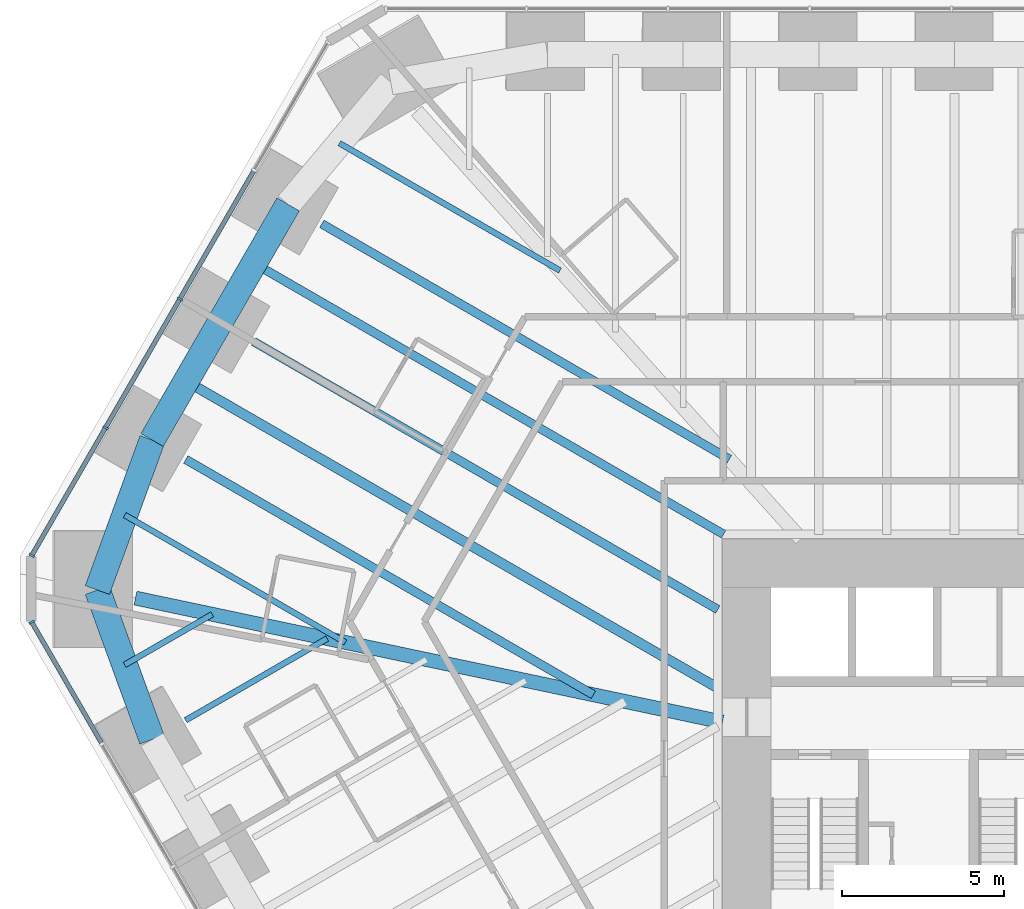
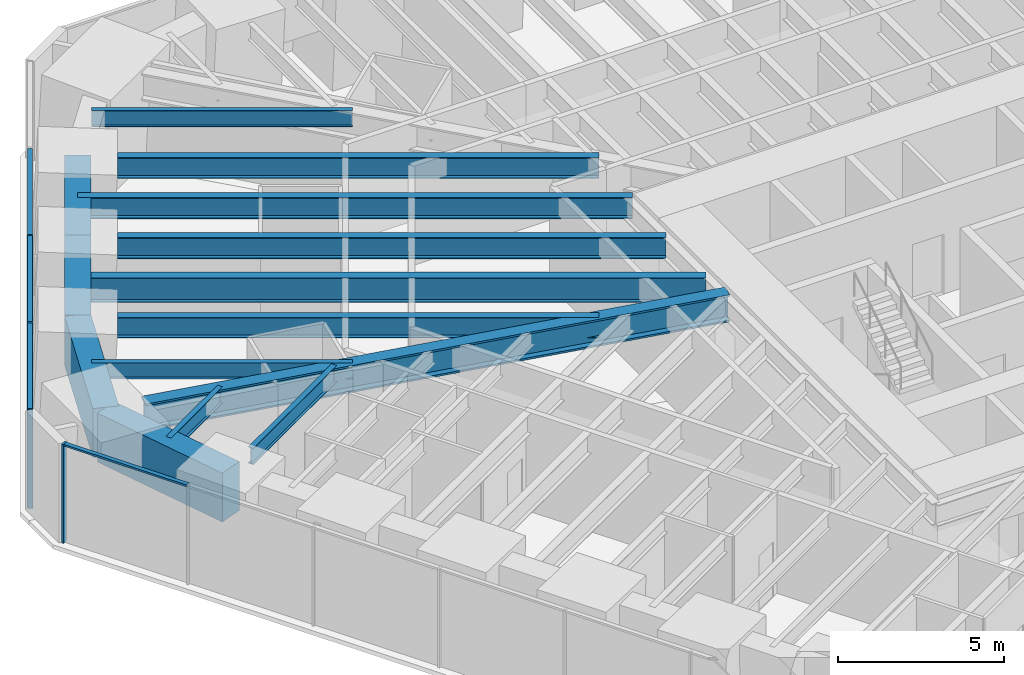
# One storey, part 7 of 17: 14 beams, 8 members, 2 elements without a shape of their own.
"""IFC4 building model written with IfcOpenShell, lengths in metres."""

from ifc_helpers import new_model, si_unit, direction, frame, origin, origin_2d, place, context, subcontext, project, spatial, rectangle, i_section, extrude, material, material_profile, profile_set, type_object, element, aggregate, save


model = new_model("IFC4")

# Units and contexts
model_context = context("Model", 3, precision=1e-05, world=origin(), true_north=direction((0.0, 1.0)))
body_context = subcontext(model_context, "Body", "Model", "MODEL_VIEW")
ifc_project = project(units=[si_unit("LENGTHUNIT", "METRE"), si_unit("AREAUNIT", "SQUARE_METRE"), si_unit("VOLUMEUNIT", "CUBIC_METRE"), si_unit("PLANEANGLEUNIT", "RADIAN"), si_unit("MASSUNIT", "GRAM", prefix="KILO")], contexts=[model_context])

# Site, building, storey
site_placement = place(None, origin())
site = spatial("IfcSite", under=ifc_project, at=site_placement, CompositionType="ELEMENT")
building_placement = place(site_placement, origin())
building = spatial("IfcBuilding", under=site, at=building_placement, Name="Sandreach Pilgrim Tower", CompositionType="ELEMENT")
storey_placement = place(building_placement, frame((0.0, 0.0, 57.199951171875)))
storey = spatial("IfcBuildingStorey", under=building, at=storey_placement, Name="L13", CompositionType="ELEMENT", Elevation=57.199951171875)

# Curtain wall, member
ifc_material_1 = material(Name="Aluminium framed curtain wall", Category="aluminium")
curtain_wall_type = type_object("IfcCurtainWallType", Name="Hostel tower curtain wall", PredefinedType="NOTDEFINED", material=ifc_material_1)
curtain_wall_1_placement = place(storey_placement, origin())
curtain_wall_1 = element("IfcCurtainWall", 1, at=curtain_wall_1_placement, inside=storey, type_object=curtain_wall_type, Name="CW-1 L13 SW", PredefinedType="NOTDEFINED")
ifc_material_2 = material(Name="Aluminium extrusion", Category="aluminium")
ifc_material_profile_1 = material_profile(ifc_material_2, rectangle(XDim=0.06494140625, YDim=0.179931640625, at=origin_2d()), Name="CW-1M 65X180")
ifc_profile_set_1 = profile_set([ifc_material_profile_1], Name="Aluminium extrusion")
member_type_1 = type_object("IfcMemberType", Name="CW-1 mullion", PredefinedType="MULLION", material=ifc_profile_set_1)
member_1_placement = place(storey_placement, frame((-30.56005859375, 5.033935546875, 0.0), z_axis=(0.0, 0.0, 1.0), x_axis=(-0.5, 0.866025403784, 0.0)))
member_1 = element("IfcMember", 2, at=member_1_placement, type_object=member_type_1, Name="CW-1 mullion 10", PredefinedType="MULLION", context=body_context, shape_type="SweptSolid", body=[
    extrude(rectangle(XDim=0.06494140625, YDim=0.179931640625, at=origin_2d()), origin(), (0.0, 0.0, 1.0), 3.64013671875),
])

# Curtain wall, members
curtain_wall_2_placement = place(storey_placement, origin())
curtain_wall_2 = element("IfcCurtainWall", 3, at=curtain_wall_2_placement, inside=storey, type_object=curtain_wall_type, Name="CW-1 L13 NW", PredefinedType="NOTDEFINED")
member_2_placement = place(storey_placement, frame((-30.56005859375, 7.09033203125, 0.0), z_axis=(0.0, 0.0, 1.0), x_axis=(0.5, 0.866025403784, 0.0)))
member_2 = element("IfcMember", 4, at=member_2_placement, type_object=member_type_1, Name="CW-1 mullion 1", PredefinedType="MULLION", context=body_context, shape_type="SweptSolid", body=[
    extrude(rectangle(XDim=0.06494140625, YDim=0.179931640625, at=origin_2d()), origin(), (0.0, 0.0, 1.0), 3.64013671875),
])
member_3_placement = place(storey_placement, frame((-28.283203125, 11.03369140625, 0.0), z_axis=(0.0, 0.0, 1.0), x_axis=(0.5, 0.866025403784, 0.0)))
member_3 = element("IfcMember", 5, at=member_3_placement, type_object=member_type_1, Name="CW-1 mullion 2", PredefinedType="MULLION", context=body_context, shape_type="SweptSolid", body=[
    extrude(rectangle(XDim=0.06494140625, YDim=0.179931640625, at=origin_2d()), origin(), (0.0, 0.0, 1.0), 3.64013671875),
])
member_4_placement = place(storey_placement, frame((-25.990234375, 15.00537109375, 0.0), z_axis=(0.0, 0.0, 1.0), x_axis=(0.5, 0.866025403784, 0.0)))
member_4 = element("IfcMember", 6, at=member_4_placement, type_object=member_type_1, Name="CW-1 mullion 3", PredefinedType="MULLION", context=body_context, shape_type="SweptSolid", body=[
    extrude(rectangle(XDim=0.06494140625, YDim=0.179931640625, at=origin_2d()), origin(), (0.0, 0.0, 1.0), 3.64013671875),
])

# Member
ifc_material_3 = material(Name="Aluminium extrusion", Category="aluminium")
ifc_material_profile_2 = material_profile(ifc_material_3, rectangle(XDim=0.139892578125, YDim=0.070068359375, at=origin_2d()), Name="CW-1T 140X70")
ifc_profile_set_2 = profile_set([ifc_material_profile_2], Name="Aluminium extrusion")
member_type_2 = type_object("IfcMemberType", Name="CW-1 transom", PredefinedType="USERDEFINED", material=ifc_profile_set_2)
member_5_placement = place(storey_placement, frame((-28.40673828125, 1.304443359375, 3.60498046875), z_axis=(-0.499991113271, 0.866030534479, 0.0), x_axis=(-0.866030534479, -0.499991113271, 0.0)))
member_5 = element("IfcMember", 7, at=member_5_placement, type_object=member_type_2, Name="CW-1 head transom 9", ObjectType="TRANSOM", PredefinedType="USERDEFINED", context=body_context, shape_type="SweptSolid", body=[
    extrude(rectangle(XDim=0.139892578125, YDim=0.070068359375, at=origin_2d()), origin(), (0.0, 0.0, 1.0), 4.27392578125),
])

aggregate(curtain_wall_1, [member_1, member_5])

member_6_placement = place(storey_placement, frame((-30.543701171875, 7.118408203125, 3.60498046875), z_axis=(0.499976706761, 0.866038851724, 0.0), x_axis=(-0.866038851724, 0.499976706761, 0.0)))
member_6 = element("IfcMember", 8, at=member_6_placement, type_object=member_type_2, Name="CW-1 head transom 1", ObjectType="TRANSOM", PredefinedType="USERDEFINED", context=body_context, shape_type="SweptSolid", body=[
    extrude(rectangle(XDim=0.139892578125, YDim=0.070068359375, at=origin_2d()), origin(), (0.0, 0.0, 1.0), 4.488525390625),
])

member_7_placement = place(storey_placement, frame((-28.266845703125, 11.06201171875, 3.60498046875), z_axis=(0.500001366228, 0.866024614991, 0.0), x_axis=(-0.866024614991, 0.500001366228, 0.0)))
member_7 = element("IfcMember", 9, at=member_7_placement, type_object=member_type_2, Name="CW-1 head transom 2", ObjectType="TRANSOM", PredefinedType="USERDEFINED", context=body_context, shape_type="SweptSolid", body=[
    extrude(rectangle(XDim=0.139892578125, YDim=0.070068359375, at=origin_2d()), origin(), (0.0, 0.0, 1.0), 4.52099609375),
])

member_8_placement = place(storey_placement, frame((-25.973876953125, 15.03369140625, 3.60498046875), z_axis=(0.500001366228, 0.866024614991, 0.0), x_axis=(-0.866024614991, 0.500001366228, 0.0)))
member_8 = element("IfcMember", 10, at=member_8_placement, type_object=member_type_2, Name="CW-1 head transom 3", ObjectType="TRANSOM", PredefinedType="USERDEFINED", context=body_context, shape_type="SweptSolid", body=[
    extrude(rectangle(XDim=0.139892578125, YDim=0.070068359375, at=origin_2d()), origin(), (0.0, 0.0, 1.0), 4.52099609375),
])

aggregate(curtain_wall_2, [member_2, member_3, member_4, member_6, member_7, member_8])

# Beams
ifc_material_4 = material(Name="Steel ASTM A992 Grade 50", Category="steel")
ifc_material_profile_3 = material_profile(ifc_material_4, i_section(OverallWidth=0.434326171875, OverallDepth=0.998291015625, WebThickness=0.0380859375, FlangeThickness=0.068115234375, at=origin_2d()), Name="W36X487")
ifc_profile_set_3 = profile_set([ifc_material_profile_3], Name="Steel ASTM A992 Grade 50")
beam_type_1 = type_object("IfcBeamType", Name="Corner girder W36X487", PredefinedType="BEAM", material=ifc_profile_set_3)
beam_1_placement = place(storey_placement, frame((-27.360595703125, 5.776611328125, 3.140869140625), z_axis=(0.978430107738, -0.206578131157, 0.0), x_axis=(0.206578131157, 0.978430107738, 0.0)))
element("IfcBeam", 11, at=beam_1_placement, inside=storey, type_object=beam_type_1, Name="BM L13 CG35", PredefinedType="BEAM", context=body_context, shape_type="SweptSolid", body=[
    extrude(i_section(OverallWidth=0.434326171875, OverallDepth=0.998291015625, WebThickness=0.0380859375, FlangeThickness=0.068115234375, at=origin_2d()), origin(), (0.0, 0.0, 1.0), 18.509765625),
])
ifc_material_5 = material(Name="Steel ASTM A992 Grade 50", Category="steel")
ifc_material_profile_4 = material_profile(ifc_material_5, i_section(OverallWidth=0.1787109375, OverallDepth=0.60205078125, WebThickness=0.010986328125, FlangeThickness=0.014892578125, at=origin_2d()), Name="W24X62")
ifc_profile_set_4 = profile_set([ifc_material_profile_4], Name="Steel ASTM A992 Grade 50")
beam_type_2 = type_object("IfcBeamType", Name="Floor beam W24X62", PredefinedType="BEAM", material=ifc_profile_set_4)
beam_2_placement = place(storey_placement, frame((-25.810791015625, 2.007568359375, 3.339111328125), z_axis=(0.866025882247, 0.499999171277, 0.0), x_axis=(-0.499999171277, 0.866025882247, 0.0)))
element("IfcBeam", 12, at=beam_2_placement, inside=storey, type_object=beam_type_2, Name="BM L13 F34", PredefinedType="BEAM", context=body_context, shape_type="SweptSolid", body=[
    extrude(i_section(OverallWidth=0.1787109375, OverallDepth=0.60205078125, WebThickness=0.010986328125, FlangeThickness=0.014892578125, at=origin_2d()), origin(), (0.0, 0.0, 1.0), 5.04052734375),
])
beam_3_placement = place(storey_placement, frame((-27.6923828125, 3.716064453125, 3.339111328125), z_axis=(0.866048783957, 0.499959502167, 0.0), x_axis=(-0.499959502167, 0.866048783957, 0.0)))
element("IfcBeam", 13, at=beam_3_placement, inside=storey, type_object=beam_type_2, Name="BM L13 FM34", PredefinedType="BEAM", context=body_context, shape_type="SweptSolid", body=[
    extrude(i_section(OverallWidth=0.1787109375, OverallDepth=0.60205078125, WebThickness=0.010986328125, FlangeThickness=0.014892578125, at=origin_2d()), origin(), (0.0, 0.0, 1.0), 3.120361328125),
])
for number, where, z_axis, x_axis, name in (
    (14, (-27.6904296875, 8.339111328125, 3.339111328125), (0.866026787189, -0.499997603866, 0.0), (0.499997603866, 0.866026787189, 0.0), "BM L13 FM35"),
    (15, (-21.067138671875, 19.81103515625, 3.339111328125), (0.866026787189, -0.499997603866, 0.0), (0.499997603866, 0.866026787189, 0.0), "BM L13 FM38"),
):
    element("IfcBeam", number, at=place(storey_placement, frame(where, z_axis=z_axis, x_axis=x_axis)), inside=storey, type_object=beam_type_2, Name=name, PredefinedType="BEAM", context=body_context, shape_type="SweptSolid", body=[
        extrude(i_section(OverallWidth=0.1787109375, OverallDepth=0.60205078125, WebThickness=0.010986328125, FlangeThickness=0.014892578125, at=origin_2d()), origin(), (0.0, 0.0, 1.0), 7.85986328125),
    ])
ifc_material_6 = material(Name="Steel ASTM A992 Grade 50", Category="steel")
ifc_material_profile_5 = material_profile(ifc_material_6, i_section(OverallWidth=0.2666015625, OverallDepth=0.761962890625, WebThickness=0.014404296875, FlangeThickness=0.021484375, at=origin_2d()), Name="W30X116")
ifc_profile_set_5 = profile_set([ifc_material_profile_5], Name="Steel ASTM A992 Grade 50")
beam_type_3 = type_object("IfcBeamType", Name="Floor beam W30X116", PredefinedType="BEAM", material=ifc_profile_set_5)
beam_4_placement = place(storey_placement, frame((-25.806884765625, 10.0537109375, 3.259033203125), z_axis=(0.866021221762, -0.500007243405, 0.0), x_axis=(0.500007243405, 0.866021221762, 0.0)))
element("IfcBeam", 16, at=beam_4_placement, inside=storey, type_object=beam_type_3, Name="BM L13 F36", PredefinedType="BEAM", context=body_context, shape_type="SweptSolid", body=[
    extrude(i_section(OverallWidth=0.2666015625, OverallDepth=0.761962890625, WebThickness=0.014404296875, FlangeThickness=0.021484375, at=origin_2d()), origin(), (0.0, 0.0, 1.0), 14.519775390625),
])
beam_5_placement = place(storey_placement, frame((-21.6103515625, 17.322509765625, 3.259033203125), z_axis=(0.866032706045, -0.4999873519, 0.0), x_axis=(0.4999873519, 0.866032706045, 0.0)))
element("IfcBeam", 17, at=beam_5_placement, inside=storey, type_object=beam_type_3, Name="BM L13 F38", PredefinedType="BEAM", context=body_context, shape_type="SweptSolid", body=[
    extrude(i_section(OverallWidth=0.2666015625, OverallDepth=0.761962890625, WebThickness=0.014404296875, FlangeThickness=0.021484375, at=origin_2d()), origin(), (0.0, 0.0, 1.0), 14.52001953125),
])
ifc_material_7 = material(Name="Steel ASTM A992 Grade 50", Category="steel")
ifc_material_profile_6 = material_profile(ifc_material_7, i_section(OverallWidth=0.2666015625, OverallDepth=0.77978515625, WebThickness=0.0166015625, FlangeThickness=0.030029296875, at=origin_2d()), Name="W30X148")
ifc_profile_set_6 = profile_set([ifc_material_profile_6], Name="Steel ASTM A992 Grade 50")
beam_type_4 = type_object("IfcBeamType", Name="Floor beam W30X148", PredefinedType="BEAM", material=ifc_profile_set_6)
beam_6_placement = place(storey_placement, frame((-23.708740234375, 13.688232421875, 3.250244140625), z_axis=(0.866028667884, -0.499994346372, 0.0), x_axis=(0.499994346372, 0.866028667884, 0.0)))
element("IfcBeam", 18, at=beam_6_placement, inside=storey, type_object=beam_type_4, Name="BM L13 F37", PredefinedType="BEAM", context=body_context, shape_type="SweptSolid", body=[
    extrude(i_section(OverallWidth=0.2666015625, OverallDepth=0.77978515625, WebThickness=0.0166015625, FlangeThickness=0.030029296875, at=origin_2d()), origin(), (0.0, 0.0, 1.0), 16.530029296875),
])
beam_7_placement = place(storey_placement, frame((-23.69873046875, 16.10546875, 3.250244140625), z_axis=(0.86602732995, -0.499996663769, 0.0), x_axis=(0.499996663769, 0.86602732995, 0.0)))
element("IfcBeam", 19, at=beam_7_placement, inside=storey, type_object=beam_type_4, Name="BM L13 FM37", PredefinedType="BEAM", context=body_context, shape_type="SweptSolid", body=[
    extrude(i_section(OverallWidth=0.2666015625, OverallDepth=0.77978515625, WebThickness=0.0166015625, FlangeThickness=0.030029296875, at=origin_2d()), origin(), (0.0, 0.0, 1.0), 16.72412109375),
])
ifc_material_8 = material(Name="Steel ASTM A992 Grade 50", Category="steel")
ifc_material_profile_7 = material_profile(ifc_material_8, i_section(OverallWidth=0.3046875, OverallDepth=0.914306640625, WebThickness=0.0166015625, FlangeThickness=0.02587890625, at=origin_2d()), Name="W36X160")
ifc_profile_set_7 = profile_set([ifc_material_profile_7], Name="Steel ASTM A992 Grade 50")
beam_type_5 = type_object("IfcBeamType", Name="Floor beam W36X160", PredefinedType="BEAM", material=ifc_profile_set_7)
beam_8_placement = place(storey_placement, frame((-25.797119140625, 12.470947265625, 3.182861328125), z_axis=(0.866026322374, -0.499998408953, 0.0), x_axis=(0.499998408953, 0.866026322374, 0.0)))
element("IfcBeam", 20, at=beam_8_placement, inside=storey, type_object=beam_type_5, Name="BM L13 FM36", PredefinedType="BEAM", context=body_context, shape_type="SweptSolid", body=[
    extrude(i_section(OverallWidth=0.3046875, OverallDepth=0.914306640625, WebThickness=0.0166015625, FlangeThickness=0.02587890625, at=origin_2d()), origin(), (0.0, 0.0, 1.0), 18.94140625),
])
ifc_material_9 = material(Name="Concrete 10000 psi", Category="concrete")
ifc_material_profile_8 = material_profile(ifc_material_9, rectangle(XDim=0.800048828125, YDim=1.800048828125, at=origin_2d()), Name="RC800X1800")
ifc_profile_set_8 = profile_set([ifc_material_profile_8], Name="Concrete 10000 psi")
beam_type_6 = type_object("IfcBeamType", Name="Spandrel beam RC800X1800", PredefinedType="SPANDREL", material=ifc_profile_set_8)
beam_9_placement = place(storey_placement, frame((-26.85009765625, 1.407470703125, 2.739990234375), z_axis=(-0.342747942545, 0.939427404263, 0.0), x_axis=(-0.939427404263, -0.342747942545, 0.0)))
element("IfcBeam", 21, at=beam_9_placement, inside=storey, type_object=beam_type_6, Name="BM L13 SP34", PredefinedType="SPANDREL", context=body_context, shape_type="SweptSolid", body=[
    extrude(rectangle(XDim=0.800048828125, YDim=1.800048828125, at=origin_2d()), origin(), (0.0, 0.0, 1.0), 4.914794921875),
])
beam_10_placement = place(storey_placement, frame((-28.53466796875, 6.024658203125, 2.739990234375), z_axis=(0.342665843528, 0.939457353837, 0.0), x_axis=(-0.939457353837, 0.342665843528, 0.0)))
element("IfcBeam", 22, at=beam_10_placement, inside=storey, type_object=beam_type_6, Name="BM L13 SP35", PredefinedType="SPANDREL", context=body_context, shape_type="SweptSolid", body=[
    extrude(rectangle(XDim=0.800048828125, YDim=1.800048828125, at=origin_2d()), origin(), (0.0, 0.0, 1.0), 4.927490234375),
])
beam_11_placement = place(storey_placement, frame((-26.84619140625, 10.65380859375, 2.739990234375), z_axis=(0.500024603663, 0.866011198387, 0.0), x_axis=(-0.866011198387, 0.500024603663, 0.0)))
element("IfcBeam", 23, at=beam_11_placement, inside=storey, type_object=beam_type_6, Name="BM L13 SP36", PredefinedType="SPANDREL", context=body_context, shape_type="SweptSolid", body=[
    extrude(rectangle(XDim=0.800048828125, YDim=1.800048828125, at=origin_2d()), origin(), (0.0, 0.0, 1.0), 4.196533203125),
])
beam_12_placement = place(storey_placement, frame((-24.747802734375, 14.2880859375, 2.739990234375), z_axis=(0.499999412853, 0.866025742774, 0.0), x_axis=(-0.866025742774, 0.499999412853, 0.0)))
element("IfcBeam", 24, at=beam_12_placement, inside=storey, type_object=beam_type_6, Name="BM L13 SP37", PredefinedType="SPANDREL", context=body_context, shape_type="SweptSolid", body=[
    extrude(rectangle(XDim=0.800048828125, YDim=1.800048828125, at=origin_2d()), origin(), (0.0, 0.0, 1.0), 4.19677734375),
])

save(model, "model.ifc")
